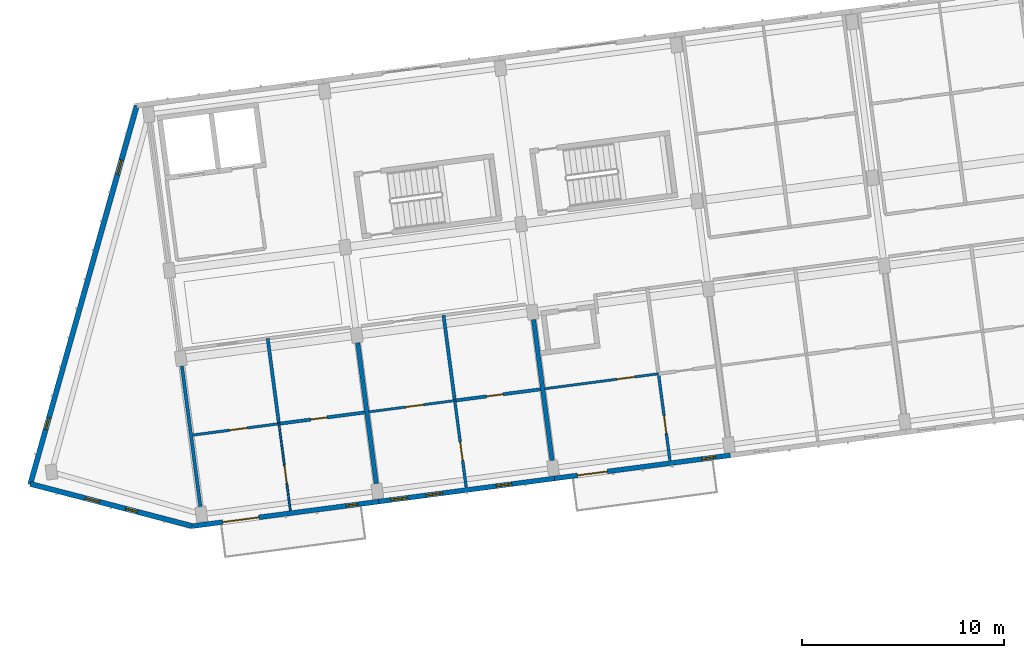
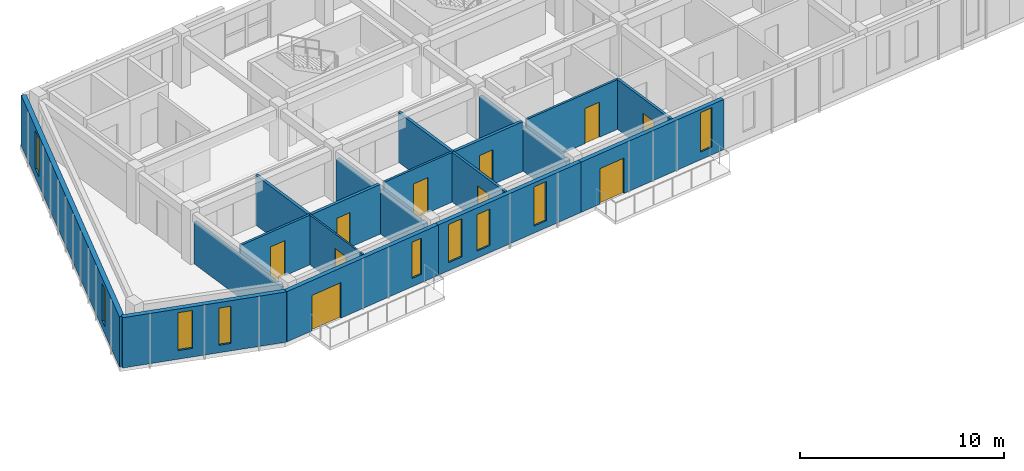
# One storey, part 79 of 127: 18 walls, 10 doors, 9 windows, 19 openings.
"""IFC4 building model written with IfcOpenShell, lengths in metres."""

from ifc_helpers import new_model, si_unit, direction, frame, frame_2d, origin, place, context, subcontext, project, spatial, rectangle, extrude, material, layer, layer_set, type_object, element, fill, save


model = new_model("IFC4")

# Units and contexts
model_context = context("Model", 3, precision=1e-05, world=origin(), true_north=direction((0.0, 1.0)))
body_context = subcontext(model_context, "Body", "Model", "MODEL_VIEW")
ifc_project = project(units=[si_unit("LENGTHUNIT", "METRE"), si_unit("AREAUNIT", "SQUARE_METRE"), si_unit("VOLUMEUNIT", "CUBIC_METRE"), si_unit("PLANEANGLEUNIT", "RADIAN"), si_unit("MASSUNIT", "GRAM", prefix="KILO")], contexts=[model_context])

# Site, building, storey
site_placement = place(None, origin())
site = spatial("IfcSite", under=ifc_project, at=site_placement, CompositionType="ELEMENT")
building_placement = place(site_placement, origin())
building = spatial("IfcBuilding", under=site, at=building_placement, Name="Kestramere Prow Commons", CompositionType="ELEMENT")
storey_placement = place(building_placement, frame((0.0, 0.0, 8.39990234375)))
storey = spatial("IfcBuildingStorey", under=building, at=storey_placement, Name="L02", CompositionType="ELEMENT", Elevation=8.39990234375)

# Wall, openings, windows
ifc_material_1 = material(Name="Weathered Zinc-Titanium Standing-Seam Cladding")
ifc_layer_1 = layer(ifc_material_1, 0.260009765625)
ifc_layer_set_1 = layer_set([ifc_layer_1], Name="Weathered Zinc-Titanium Standing-Seam Cladding")
wall_type_1 = type_object("IfcWallType", Name="EW-PROW-260", PredefinedType="SOLIDWALL", material=ifc_layer_set_1)
wall_1_placement = place(storey_placement, frame((10.748046875, 71.410888671875, 0.0), z_axis=(0.0, 0.0, 1.0), x_axis=(-0.967694955113, 0.252123925577, 0.0)))
wall_1 = element("IfcWall", 1, at=wall_1_placement, inside=storey, type_object=wall_type_1, Name="Block A L02 PRW-S Facet Wall", PredefinedType="SOLIDWALL", context=body_context, shape_type="SweptSolid", body=[
    extrude(rectangle(XDim=8.305419921875, YDim=0.260009765625, at=frame_2d((4.15283203125, 0.0))), origin(), (0.0, 0.0, 1.0), 3.0),
])
opening_1_placement = place(wall_1_placement, frame((2.81005859375, 0.0, 0.449951171875)))
opening_1 = element("IfcOpeningElement", 2, at=opening_1_placement, cuts=wall_1, Name="Opening WN-02", PredefinedType="OPENING", context=body_context, shape_type="SweptSolid", body=[
    extrude(rectangle(XDim=0.60009765625, YDim=2.219970703125, at=frame_2d((0.300048828125, 1.10986328125))), frame((0.0, 0.14501953125, 0.0), z_axis=(0.0, -1.0, 0.0), x_axis=(1.0, 0.0, 0.0)), (0.0, 0.0, 1.0), 0.2900390625),
])
opening_2_placement = place(wall_1_placement, frame((4.75537109375, 0.0, 0.52001953125)))
opening_2 = element("IfcOpeningElement", 3, at=opening_2_placement, cuts=wall_1, Name="Opening WN-09", PredefinedType="OPENING", context=body_context, shape_type="SweptSolid", body=[
    extrude(rectangle(XDim=0.739990234375, YDim=2.260009765625, at=frame_2d((0.3701171875, 1.1298828125))), frame((0.0, 0.14501953125, 0.0), z_axis=(0.0, -1.0, 0.0), x_axis=(1.0, 0.0, 0.0)), (0.0, 0.0, 1.0), 0.2900390625),
])
ifc_material_2 = material(Name="Low-E Laminated Double Glazing", Category="glass")
window_type_1 = type_object("IfcWindowType", Name="WN-NAR-600A", PartitioningType="SINGLE_PANEL", PredefinedType="WINDOW", material=ifc_material_2)
window_1_placement = place(opening_1_placement, origin())
window_1 = element("IfcWindow", 4, at=window_1_placement, inside=storey, type_object=window_type_1, Name="WN-A-L02-PRW-S-0", OverallHeight=2.219970703125, OverallWidth=0.60009765625, PartitioningType="SINGLE_PANEL", PredefinedType="WINDOW", context=body_context, shape_type="SweptSolid", body=[
    extrude(rectangle(XDim=0.60009765625, YDim=2.219970703125, at=frame_2d((0.300048828125, 1.10986328125))), frame((0.0, 0.030029296875, 0.0), z_axis=(0.0, -1.0, 0.0), x_axis=(1.0, 0.0, 0.0)), (0.0, 0.0, 1.0), 0.06005859375),
])
fill(opening_1, window_1)
window_type_2 = type_object("IfcWindowType", Name="WN-NAR-740A", PartitioningType="SINGLE_PANEL", PredefinedType="WINDOW", material=ifc_material_2)
window_2_placement = place(opening_2_placement, origin())
window_2 = element("IfcWindow", 5, at=window_2_placement, inside=storey, type_object=window_type_2, Name="WN-A-L02-PRW-S-1", OverallHeight=2.260009765625, OverallWidth=0.739990234375, PartitioningType="SINGLE_PANEL", PredefinedType="WINDOW", context=body_context, shape_type="SweptSolid", body=[
    extrude(rectangle(XDim=0.739990234375, YDim=2.260009765625, at=frame_2d((0.3701171875, 1.1298828125))), frame((0.0, 0.030029296875, 0.0), z_axis=(0.0, -1.0, 0.0), x_axis=(1.0, 0.0, 0.0)), (0.0, 0.0, 1.0), 0.06005859375),
])
fill(opening_2, window_2)

wall_2_placement = place(storey_placement, frame((2.7109375, 73.5048828125, 0.0), z_axis=(0.0, 0.0, 1.0), x_axis=(0.271165263368, 0.962532804606, 0.0)))
wall_2 = element("IfcWall", 6, at=wall_2_placement, inside=storey, type_object=wall_type_1, Name="Block A L02 PRW-N Facet Wall", PredefinedType="SOLIDWALL", context=body_context, shape_type="SweptSolid", body=[
    extrude(rectangle(XDim=19.5068359375, YDim=0.260009765625, at=frame_2d((9.75341796875, 0.0))), origin(), (0.0, 0.0, 1.0), 3.0),
])
opening_3_placement = place(wall_2_placement, frame((2.81005859375, 0.0, 0.449951171875)))
opening_3 = element("IfcOpeningElement", 7, at=opening_3_placement, cuts=wall_2, Name="Opening WN-02", PredefinedType="OPENING", context=body_context, shape_type="SweptSolid", body=[
    extrude(rectangle(XDim=0.60009765625, YDim=2.219970703125, at=frame_2d((0.300048828125, 1.10986328125))), frame((0.0, 0.14501953125, 0.0), z_axis=(0.0, -1.0, 0.0), x_axis=(1.0, 0.0, 0.0)), (0.0, 0.0, 1.0), 0.2900390625),
])
opening_4_placement = place(wall_2_placement, frame((15.956787109375, 0.0, 0.52001953125)))
opening_4 = element("IfcOpeningElement", 8, at=opening_4_placement, cuts=wall_2, Name="Opening WN-09", PredefinedType="OPENING", context=body_context, shape_type="SweptSolid", body=[
    extrude(rectangle(XDim=0.739990234375, YDim=2.260009765625, at=frame_2d((0.3701171875, 1.1298828125))), frame((0.0, 0.14501953125, 0.0), z_axis=(0.0, -1.0, 0.0), x_axis=(1.0, 0.0, 0.0)), (0.0, 0.0, 1.0), 0.2900390625),
])
window_3_placement = place(opening_3_placement, origin())
window_3 = element("IfcWindow", 9, at=window_3_placement, inside=storey, type_object=window_type_1, Name="WN-A-L02-PRW-N-0", OverallHeight=2.219970703125, OverallWidth=0.60009765625, PartitioningType="SINGLE_PANEL", PredefinedType="WINDOW", context=body_context, shape_type="SweptSolid", body=[
    extrude(rectangle(XDim=0.60009765625, YDim=2.219970703125, at=frame_2d((0.300048828125, 1.10986328125))), frame((0.0, 0.030029296875, 0.0), z_axis=(0.0, -1.0, 0.0), x_axis=(1.0, 0.0, 0.0)), (0.0, 0.0, 1.0), 0.06005859375),
])
fill(opening_3, window_3)
window_4_placement = place(opening_4_placement, origin())
window_4 = element("IfcWindow", 10, at=window_4_placement, inside=storey, type_object=window_type_2, Name="WN-A-L02-PRW-N-1", OverallHeight=2.260009765625, OverallWidth=0.739990234375, PartitioningType="SINGLE_PANEL", PredefinedType="WINDOW", context=body_context, shape_type="SweptSolid", body=[
    extrude(rectangle(XDim=0.739990234375, YDim=2.260009765625, at=frame_2d((0.3701171875, 1.1298828125))), frame((0.0, 0.030029296875, 0.0), z_axis=(0.0, -1.0, 0.0), x_axis=(1.0, 0.0, 0.0)), (0.0, 0.0, 1.0), 0.06005859375),
])
fill(opening_4, window_4)

# Wall, openings, door, window
ifc_material_3 = material(Name="Fluoropolymer Standing-Seam Zinc-Aluminium Cladding", Category="aluminium")
ifc_layer_2 = layer(ifc_material_3, 0.239990234375)
ifc_layer_set_2 = layer_set([ifc_layer_2], Name="Fluoropolymer Standing-Seam Zinc-Aluminium Cladding")
wall_type_2 = type_object("IfcWallType", Name="EW-SEAM-240", PredefinedType="SOLIDWALL", material=ifc_layer_set_2)
wall_3_placement = place(storey_placement, frame((19.9931640625, 72.628173828125, 0.0), z_axis=(0.0, 0.0, 1.0), x_axis=(-0.991442885224, -0.130541201693, 0.0)))
wall_3 = element("IfcWall", 11, at=wall_3_placement, inside=storey, type_object=wall_type_2, Name="Block A L02 South Standing-Seam Wall 1", PredefinedType="SOLIDWALL", context=body_context, shape_type="SweptSolid", body=[
    extrude(rectangle(XDim=9.324951171875, YDim=0.239990234375, at=frame_2d((4.66259765625, 0.0))), origin(), (0.0, 0.0, 1.0), 3.0),
])
opening_5_placement = place(wall_3_placement, frame((5.9970703125, 0.0, 0.0)))
opening_5 = element("IfcOpeningElement", 12, at=opening_5_placement, cuts=wall_3, Name="Opening GD-BAL-02", PredefinedType="OPENING", context=body_context, shape_type="SweptSolid", body=[
    extrude(rectangle(XDim=1.800048828125, YDim=2.1201171875, at=frame_2d((0.89990234375, 1.06005859375))), frame((0.0, 0.135009765625, 0.0), z_axis=(0.0, -1.0, 0.0), x_axis=(1.0, 0.0, 0.0)), (0.0, 0.0, 1.0), 0.27001953125),
])
opening_6_placement = place(wall_3_placement, frame((1.030029296875, 0.0, 0.5)))
opening_6 = element("IfcOpeningElement", 13, at=opening_6_placement, cuts=wall_3, Name="Opening WN-01", PredefinedType="OPENING", context=body_context, shape_type="SweptSolid", body=[
    extrude(rectangle(XDim=0.580078125, YDim=2.159912109375, at=frame_2d((0.2900390625, 1.080078125))), frame((0.0, 0.135009765625, 0.0), z_axis=(0.0, -1.0, 0.0), x_axis=(1.0, 0.0, 0.0)), (0.0, 0.0, 1.0), 0.27001953125),
])
ifc_material_4 = material(Name="Thermally-Broken Anodised Aluminium Glazed", Category="aluminium")
door_type_1 = type_object("IfcDoorType", Name="GD-BAL-1800", OperationType="SLIDING_TO_LEFT", PredefinedType="DOOR", material=ifc_material_4)
door_1_placement = place(opening_5_placement, origin())
door_1 = element("IfcDoor", 14, at=door_1_placement, inside=storey, type_object=door_type_1, Name="Block A L02 Balcony Door 1", OperationType="SLIDING_TO_LEFT", OverallHeight=2.1201171875, OverallWidth=1.800048828125, PredefinedType="DOOR", context=body_context, shape_type="SweptSolid", body=[
    extrude(rectangle(XDim=1.800048828125, YDim=2.1201171875, at=frame_2d((0.89990234375, 1.06005859375))), frame((0.0, 0.02490234375, 0.0), z_axis=(0.0, -1.0, 0.0), x_axis=(1.0, 0.0, 0.0)), (0.0, 0.0, 1.0), 0.050048828125),
])
fill(opening_5, door_1)
window_type_3 = type_object("IfcWindowType", Name="WN-NAR-580A", PartitioningType="SINGLE_PANEL", PredefinedType="WINDOW", material=ifc_material_2)
window_5_placement = place(opening_6_placement, origin())
window_5 = element("IfcWindow", 15, at=window_5_placement, inside=storey, type_object=window_type_3, Name="WN-A-L02-SR-0", OverallHeight=2.159912109375, OverallWidth=0.580078125, PartitioningType="SINGLE_PANEL", PredefinedType="WINDOW", context=body_context, shape_type="SweptSolid", body=[
    extrude(rectangle(XDim=0.580078125, YDim=2.159912109375, at=frame_2d((0.2900390625, 1.080078125))), frame((0.0, 0.030029296875, 0.0), z_axis=(0.0, -1.0, 0.0), x_axis=(1.0, 0.0, 0.0)), (0.0, 0.0, 1.0), 0.06005859375),
])
fill(opening_6, window_5)

# Wall, openings, windows
wall_4_placement = place(storey_placement, frame((28.718017578125, 73.77685546875, 0.0), z_axis=(0.0, 0.0, 1.0), x_axis=(-0.991444377792, -0.130529865336, 0.0)))
wall_4 = element("IfcWall", 16, at=wall_4_placement, inside=storey, type_object=wall_type_2, Name="Block A L02 South Standing-Seam Wall 2", PredefinedType="SOLIDWALL", context=body_context, shape_type="SweptSolid", body=[
    extrude(rectangle(XDim=8.800048828125, YDim=0.239990234375, at=frame_2d((4.39990234375, 0.0))), origin(), (0.0, 0.0, 1.0), 3.0),
])
opening_7_placement = place(wall_4_placement, frame((2.145751953125, 0.0, 0.419921875)))
opening_7 = element("IfcOpeningElement", 17, at=opening_7_placement, cuts=wall_4, Name="Opening WN-10", PredefinedType="OPENING", context=body_context, shape_type="SweptSolid", body=[
    extrude(rectangle(XDim=0.760009765625, YDim=2.340087890625, at=frame_2d((0.3798828125, 1.169921875))), frame((0.0, 0.135009765625, 0.0), z_axis=(0.0, -1.0, 0.0), x_axis=(1.0, 0.0, 0.0)), (0.0, 0.0, 1.0), 0.27001953125),
])
opening_8_placement = place(wall_4_placement, frame((5.60400390625, 0.0, 0.419921875)))
opening_8 = element("IfcOpeningElement", 18, at=opening_8_placement, cuts=wall_4, Name="Opening WN-13", PredefinedType="OPENING", context=body_context, shape_type="SweptSolid", body=[
    extrude(rectangle(XDim=0.820068359375, YDim=2.179931640625, at=frame_2d((0.41015625, 1.08984375))), frame((0.0, 0.135009765625, 0.0), z_axis=(0.0, -1.0, 0.0), x_axis=(1.0, 0.0, 0.0)), (0.0, 0.0, 1.0), 0.27001953125),
])
opening_9_placement = place(wall_4_placement, frame((7.35009765625, 0.0, 0.47998046875)))
opening_9 = element("IfcOpeningElement", 19, at=opening_9_placement, cuts=wall_4, Name="Opening WN-14", PredefinedType="OPENING", context=body_context, shape_type="SweptSolid", body=[
    extrude(rectangle(XDim=0.840087890625, YDim=2.280029296875, at=frame_2d((0.419921875, 1.14013671875))), frame((0.0, 0.135009765625, 0.0), z_axis=(0.0, -1.0, 0.0), x_axis=(1.0, 0.0, 0.0)), (0.0, 0.0, 1.0), 0.27001953125),
])
window_type_4 = type_object("IfcWindowType", Name="WN-NAR-760A", PartitioningType="SINGLE_PANEL", PredefinedType="WINDOW", material=ifc_material_2)
window_6_placement = place(opening_7_placement, origin())
window_6 = element("IfcWindow", 20, at=window_6_placement, inside=storey, type_object=window_type_4, Name="WN-A-L02-S-1-00", OverallHeight=2.340087890625, OverallWidth=0.760009765625, PartitioningType="SINGLE_PANEL", PredefinedType="WINDOW", context=body_context, shape_type="SweptSolid", body=[
    extrude(rectangle(XDim=0.760009765625, YDim=2.340087890625, at=frame_2d((0.3798828125, 1.169921875))), frame((0.0, 0.030029296875, 0.0), z_axis=(0.0, -1.0, 0.0), x_axis=(1.0, 0.0, 0.0)), (0.0, 0.0, 1.0), 0.06005859375),
])
fill(opening_7, window_6)
window_type_5 = type_object("IfcWindowType", Name="WN-NAR-820A", PartitioningType="DOUBLE_PANEL_VERTICAL", PredefinedType="WINDOW", material=ifc_material_2)
window_7_placement = place(opening_8_placement, origin())
window_7 = element("IfcWindow", 21, at=window_7_placement, inside=storey, type_object=window_type_5, Name="WN-A-L02-S-1-10", OverallHeight=2.179931640625, OverallWidth=0.820068359375, PartitioningType="SINGLE_PANEL", PredefinedType="WINDOW", context=body_context, shape_type="SweptSolid", body=[
    extrude(rectangle(XDim=0.820068359375, YDim=2.179931640625, at=frame_2d((0.41015625, 1.08984375))), frame((0.0, 0.030029296875, 0.0), z_axis=(0.0, -1.0, 0.0), x_axis=(1.0, 0.0, 0.0)), (0.0, 0.0, 1.0), 0.06005859375),
])
fill(opening_8, window_7)
window_type_6 = type_object("IfcWindowType", Name="WN-NAR-840A", PartitioningType="DOUBLE_PANEL_VERTICAL", PredefinedType="WINDOW", material=ifc_material_2)
window_8_placement = place(opening_9_placement, origin())
window_8 = element("IfcWindow", 22, at=window_8_placement, inside=storey, type_object=window_type_6, Name="WN-A-L02-S-1-11", OverallHeight=2.280029296875, OverallWidth=0.840087890625, PartitioningType="SINGLE_PANEL", PredefinedType="WINDOW", context=body_context, shape_type="SweptSolid", body=[
    extrude(rectangle(XDim=0.840087890625, YDim=2.280029296875, at=frame_2d((0.419921875, 1.14013671875))), frame((0.0, 0.030029296875, 0.0), z_axis=(0.0, -1.0, 0.0), x_axis=(1.0, 0.0, 0.0)), (0.0, 0.0, 1.0), 0.06005859375),
])
fill(opening_9, window_8)

# Wall, openings, door, window
wall_5_placement = place(storey_placement, frame((37.442626953125, 74.92529296875, 0.0), z_axis=(0.0, 0.0, 1.0), x_axis=(-0.991447495205, -0.130506184728, 0.0)))
wall_5 = element("IfcWall", 23, at=wall_5_placement, inside=storey, type_object=wall_type_2, Name="Block A L02 South Standing-Seam Wall 3", PredefinedType="SOLIDWALL", context=body_context, shape_type="SweptSolid", body=[
    extrude(rectangle(XDim=8.7998046875, YDim=0.239990234375, at=frame_2d((4.39990234375, 0.0))), origin(), (0.0, 0.0, 1.0), 3.0),
])
opening_10_placement = place(wall_5_placement, frame((6.14697265625, 0.0, 0.0)))
opening_10 = element("IfcOpeningElement", 24, at=opening_10_placement, cuts=wall_5, Name="Opening GD-BAL-01", PredefinedType="OPENING", context=body_context, shape_type="SweptSolid", body=[
    extrude(rectangle(XDim=1.5, YDim=2.1201171875, at=frame_2d((0.75, 1.06005859375))), frame((0.0, 0.135009765625, 0.0), z_axis=(0.0, -1.0, 0.0), x_axis=(1.0, 0.0, 0.0)), (0.0, 0.0, 1.0), 0.27001953125),
])
opening_11_placement = place(wall_5_placement, frame((0.72998046875, 0.0, 0.4599609375)))
opening_11 = element("IfcOpeningElement", 25, at=opening_11_placement, cuts=wall_5, Name="Opening WN-07", PredefinedType="OPENING", context=body_context, shape_type="SweptSolid", body=[
    extrude(rectangle(XDim=0.699951171875, YDim=2.360107421875, at=frame_2d((0.35009765625, 1.18017578125))), frame((0.0, 0.135009765625, 0.0), z_axis=(0.0, -1.0, 0.0), x_axis=(1.0, 0.0, 0.0)), (0.0, 0.0, 1.0), 0.27001953125),
])
door_type_2 = type_object("IfcDoorType", Name="GD-BAL-1500", OperationType="SLIDING_TO_RIGHT", PredefinedType="DOOR", material=ifc_material_4)
door_2_placement = place(opening_10_placement, origin())
door_2 = element("IfcDoor", 26, at=door_2_placement, inside=storey, type_object=door_type_2, Name="Block A L02 Balcony Door 3", OperationType="SLIDING_TO_RIGHT", OverallHeight=2.1201171875, OverallWidth=1.5, PredefinedType="DOOR", context=body_context, shape_type="SweptSolid", body=[
    extrude(rectangle(XDim=1.5, YDim=2.1201171875, at=frame_2d((0.75, 1.06005859375))), frame((0.0, 0.02490234375, 0.0), z_axis=(0.0, -1.0, 0.0), x_axis=(1.0, 0.0, 0.0)), (0.0, 0.0, 1.0), 0.050048828125),
])
fill(opening_10, door_2)
window_type_7 = type_object("IfcWindowType", Name="WN-NAR-700A", PartitioningType="SINGLE_PANEL", PredefinedType="WINDOW", material=ifc_material_2)
window_9_placement = place(opening_11_placement, origin())
window_9 = element("IfcWindow", 27, at=window_9_placement, inside=storey, type_object=window_type_7, Name="WN-A-L02-SR-2", OverallHeight=2.360107421875, OverallWidth=0.699951171875, PartitioningType="SINGLE_PANEL", PredefinedType="WINDOW", context=body_context, shape_type="SweptSolid", body=[
    extrude(rectangle(XDim=0.699951171875, YDim=2.360107421875, at=frame_2d((0.35009765625, 1.18017578125))), frame((0.0, 0.030029296875, 0.0), z_axis=(0.0, -1.0, 0.0), x_axis=(1.0, 0.0, 0.0)), (0.0, 0.0, 1.0), 0.06005859375),
])
fill(opening_11, window_9)

# Wall, opening, door
ifc_material_5 = material(Name="Lightweight Blockwork and Plaster", Category="masonry")
ifc_layer_3 = layer(ifc_material_5, 0.1201171875)
ifc_layer_set_3 = layer_set([ifc_layer_3], Name="Lightweight Blockwork and Plaster")
wall_type_3 = type_object("IfcWallType", Name="W-PART-120", PredefinedType="PARTITIONING", material=ifc_layer_set_3)
wall_6_placement = place(storey_placement, frame((19.523193359375, 77.079833984375, 0.0), z_axis=(0.0, 0.0, 1.0), x_axis=(0.991444014242, 0.130532626667, 0.0)))
wall_6 = element("IfcWall", 28, at=wall_6_placement, inside=storey, type_object=wall_type_3, Name="Interior Partition PW-A-L02-MIDS1-1", PredefinedType="PARTITIONING", context=body_context, shape_type="SweptSolid", body=[
    extrude(rectangle(XDim=4.284912109375, YDim=0.1201171875, at=frame_2d((2.142578125, 0.0))), origin(), (0.0, 0.0, 1.0), 2.97021484375),
])
opening_12_placement = place(wall_6_placement, frame((1.824951171875, 0.0, 0.0)))
opening_12 = element("IfcOpeningElement", 29, at=opening_12_placement, cuts=wall_6, Name="Opening ID-08", PredefinedType="OPENING", context=body_context, shape_type="SweptSolid", body=[
    extrude(rectangle(XDim=0.89990234375, YDim=2.10009765625, at=frame_2d((0.449951171875, 1.050048828125))), frame((0.0, 0.074951171875, 0.0), z_axis=(0.0, -1.0, 0.0), x_axis=(1.0, 0.0, 0.0)), (0.0, 0.0, 1.0), 0.150146484375),
])
ifc_material_6 = material(Name="Engineered Timber Flush Door", Category="wood")
door_type_3 = type_object("IfcDoorType", Name="D-RM-01", OperationType="NOTDEFINED", PredefinedType="DOOR", material=ifc_material_6)
door_3_placement = place(opening_12_placement, origin())
door_3 = element("IfcDoor", 30, at=door_3_placement, inside=storey, type_object=door_type_3, Name="Interior Door DR-A-L02-KL-S1", OperationType="SINGLE_SWING_RIGHT", OverallHeight=2.10009765625, OverallWidth=0.89990234375, PredefinedType="DOOR", context=body_context, shape_type="SweptSolid", body=[
    extrude(rectangle(XDim=0.89990234375, YDim=2.10009765625, at=frame_2d((0.449951171875, 1.050048828125))), frame((0.0, 0.02490234375, 0.0), z_axis=(0.0, -1.0, 0.0), x_axis=(1.0, 0.0, 0.0)), (0.0, 0.0, 1.0), 0.050048828125),
])
fill(opening_12, door_3)

wall_7_placement = place(storey_placement, frame((28.247802734375, 78.228515625, 0.0), z_axis=(0.0, 0.0, 1.0), x_axis=(0.991443905556, 0.130533452169, 0.0)))
wall_7 = element("IfcWall", 31, at=wall_7_placement, inside=storey, type_object=wall_type_3, Name="Interior Partition PW-A-L02-MIDS1-2", PredefinedType="PARTITIONING", context=body_context, shape_type="SweptSolid", body=[
    extrude(rectangle(XDim=5.68017578125, YDim=0.1201171875, at=frame_2d((2.840087890625, 0.0))), origin(), (0.0, 0.0, 1.0), 2.97021484375),
])
opening_13_placement = place(wall_7_placement, frame((3.594970703125, 0.0, 0.0)))
opening_13 = element("IfcOpeningElement", 32, at=opening_13_placement, cuts=wall_7, Name="Opening ID-08", PredefinedType="OPENING", context=body_context, shape_type="SweptSolid", body=[
    extrude(rectangle(XDim=0.89990234375, YDim=2.10009765625, at=frame_2d((0.449951171875, 1.050048828125))), frame((0.0, 0.074951171875, 0.0), z_axis=(0.0, -1.0, 0.0), x_axis=(1.0, 0.0, 0.0)), (0.0, 0.0, 1.0), 0.150146484375),
])
door_4_placement = place(opening_13_placement, origin())
door_4 = element("IfcDoor", 33, at=door_4_placement, inside=storey, type_object=door_type_3, Name="Interior Door DR-A-L02-KL-S2", OperationType="SINGLE_SWING_RIGHT", OverallHeight=2.10009765625, OverallWidth=0.89990234375, PredefinedType="DOOR", context=body_context, shape_type="SweptSolid", body=[
    extrude(rectangle(XDim=0.89990234375, YDim=2.10009765625, at=frame_2d((0.449951171875, 1.050048828125))), frame((0.0, 0.02490234375, 0.0), z_axis=(0.0, -1.0, 0.0), x_axis=(1.0, 0.0, 0.0)), (0.0, 0.0, 1.0), 0.050048828125),
])
fill(opening_13, door_4)

ifc_layer_4 = layer(ifc_material_5, 0.1298828125)
ifc_layer_set_4 = layer_set([ifc_layer_4], Name="Lightweight Blockwork and Plaster")
wall_type_4 = type_object("IfcWallType", Name="W-PART-130", PredefinedType="PARTITIONING", material=ifc_layer_set_4)
wall_8_placement = place(storey_placement, frame((10.773681640625, 75.927978515625, 0.0), z_axis=(0.0, 0.0, 1.0), x_axis=(0.991447160489, 0.130508727519, 0.0)))
wall_8 = element("IfcWall", 34, at=wall_8_placement, inside=storey, type_object=wall_type_4, Name="Interior Partition PW-A-L02-MIDS1-0", PredefinedType="PARTITIONING", context=body_context, shape_type="SweptSolid", body=[
    extrude(rectangle(XDim=4.31005859375, YDim=0.1298828125, at=frame_2d((2.155029296875, 0.0))), origin(), (0.0, 0.0, 1.0), 2.97021484375),
])
opening_14_placement = place(wall_8_placement, frame((1.85009765625, 0.0, 0.0)))
opening_14 = element("IfcOpeningElement", 35, at=opening_14_placement, cuts=wall_8, Name="Opening ID-10", PredefinedType="OPENING", context=body_context, shape_type="SweptSolid", body=[
    extrude(rectangle(XDim=0.8798828125, YDim=2.10009765625, at=frame_2d((0.43994140625, 1.050048828125))), frame((0.0, 0.079833984375, 0.0), z_axis=(0.0, -1.0, 0.0), x_axis=(1.0, 0.0, 0.0)), (0.0, 0.0, 1.0), 0.159912109375),
])
ifc_material_7 = material(Name="Engineered Timber Bedroom Door", Category="wood")
door_type_4 = type_object("IfcDoorType", Name="D-RM-03", OperationType="NOTDEFINED", PredefinedType="DOOR", material=ifc_material_7)
door_5_placement = place(opening_14_placement, origin())
door_5 = element("IfcDoor", 36, at=door_5_placement, inside=storey, type_object=door_type_4, Name="Interior Door DR-A-L02-KL-S0", OperationType="SINGLE_SWING_RIGHT", OverallHeight=2.10009765625, OverallWidth=0.8798828125, PredefinedType="DOOR", context=body_context, shape_type="SweptSolid", body=[
    extrude(rectangle(XDim=0.8798828125, YDim=2.10009765625, at=frame_2d((0.43994140625, 1.050048828125))), frame((0.0, 0.02490234375, 0.0), z_axis=(0.0, -1.0, 0.0), x_axis=(1.0, 0.0, 0.0)), (0.0, 0.0, 1.0), 0.050048828125),
])
fill(opening_14, door_5)

ifc_material_8 = material(Name="Masonry Compartment Wall", Category="masonry")
ifc_layer_5 = layer(ifc_material_8, 0.139892578125)
ifc_layer_set_5 = layer_set([ifc_layer_5], Name="Masonry Compartment Wall")
wall_type_5 = type_object("IfcWallType", Name="W-PART-140", PredefinedType="PARTITIONING", material=ifc_layer_set_5)
wall_9_placement = place(storey_placement, frame((24.337890625, 73.336181640625, 0.0), z_axis=(0.0, 0.0, 1.0), x_axis=(-0.130505442025, 0.991447592968, 0.0)))
wall_9 = element("IfcWall", 37, at=wall_9_placement, inside=storey, type_object=wall_type_5, Name="Interior Partition PW-A-L02-LB-S1", PredefinedType="PARTITIONING", context=body_context, shape_type="SweptSolid", body=[
    extrude(rectangle(XDim=4.340087890625, YDim=0.139892578125, at=frame_2d((2.169921875, 0.0))), origin(), (0.0, 0.0, 1.0), 2.97021484375),
])
opening_15_placement = place(wall_9_placement, frame((1.35009765625, 0.0, 0.0)))
opening_15 = element("IfcOpeningElement", 38, at=opening_15_placement, cuts=wall_9, Name="Opening ID-08", PredefinedType="OPENING", context=body_context, shape_type="SweptSolid", body=[
    extrude(rectangle(XDim=0.89990234375, YDim=2.10009765625, at=frame_2d((0.449951171875, 1.050048828125))), frame((0.0, 0.0849609375, 0.0), z_axis=(0.0, -1.0, 0.0), x_axis=(1.0, 0.0, 0.0)), (0.0, 0.0, 1.0), 0.169921875),
])
door_6_placement = place(opening_15_placement, origin())
door_6 = element("IfcDoor", 39, at=door_6_placement, inside=storey, type_object=door_type_3, Name="Interior Door DR-A-L02-BED-S1", OperationType="SINGLE_SWING_RIGHT", OverallHeight=2.10009765625, OverallWidth=0.89990234375, PredefinedType="DOOR", context=body_context, shape_type="SweptSolid", body=[
    extrude(rectangle(XDim=0.89990234375, YDim=2.10009765625, at=frame_2d((0.449951171875, 1.050048828125))), frame((0.0, 0.02490234375, 0.0), z_axis=(0.0, -1.0, 0.0), x_axis=(1.0, 0.0, 0.0)), (0.0, 0.0, 1.0), 0.050048828125),
])
fill(opening_15, door_6)

wall_10_placement = place(storey_placement, frame((34.44580078125, 74.6669921875, 0.0), z_axis=(0.0, 0.0, 1.0), x_axis=(-0.130505442025, 0.991447592968, 0.0)))
wall_10 = element("IfcWall", 40, at=wall_10_placement, inside=storey, type_object=wall_type_5, Name="Interior Partition PW-A-L02-LB-S2", PredefinedType="PARTITIONING", context=body_context, shape_type="SweptSolid", body=[
    extrude(rectangle(XDim=4.340087890625, YDim=0.139892578125, at=frame_2d((2.169921875, 0.0))), origin(), (0.0, 0.0, 1.0), 2.97021484375),
])
opening_16_placement = place(wall_10_placement, frame((1.35009765625, 0.0, 0.0)))
opening_16 = element("IfcOpeningElement", 41, at=opening_16_placement, cuts=wall_10, Name="Opening ID-08", PredefinedType="OPENING", context=body_context, shape_type="SweptSolid", body=[
    extrude(rectangle(XDim=0.89990234375, YDim=2.10009765625, at=frame_2d((0.449951171875, 1.050048828125))), frame((0.0, 0.0849609375, 0.0), z_axis=(0.0, -1.0, 0.0), x_axis=(1.0, 0.0, 0.0)), (0.0, 0.0, 1.0), 0.169921875),
])
door_7_placement = place(opening_16_placement, origin())
door_7 = element("IfcDoor", 42, at=door_7_placement, inside=storey, type_object=door_type_3, Name="Interior Door DR-A-L02-BED-S2", OperationType="SINGLE_SWING_LEFT", OverallHeight=2.10009765625, OverallWidth=0.89990234375, PredefinedType="DOOR", context=body_context, shape_type="SweptSolid", body=[
    extrude(rectangle(XDim=0.89990234375, YDim=2.10009765625, at=frame_2d((0.449951171875, 1.050048828125))), frame((0.0, 0.02490234375, 0.0), z_axis=(0.0, -1.0, 0.0), x_axis=(1.0, 0.0, 0.0)), (0.0, 0.0, 1.0), 0.050048828125),
])
fill(opening_16, door_7)

ifc_material_9 = material(Name="Gypsum Acoustic Drywall")
ifc_layer_6 = layer(ifc_material_9, 0.094970703125)
ifc_layer_set_6 = layer_set([ifc_layer_6], Name="Gypsum Acoustic Drywall")
wall_type_6 = type_object("IfcWallType", Name="W-PART-95", PredefinedType="PARTITIONING", material=ifc_layer_set_6)
wall_11_placement = place(storey_placement, frame((15.61328125, 72.187744140625, 0.0), z_axis=(0.0, 0.0, 1.0), x_axis=(-0.130512720879, 0.991446634816, 0.0)))
wall_11 = element("IfcWall", 43, at=wall_11_placement, inside=storey, type_object=wall_type_6, Name="Interior Partition PW-A-L02-LB-S0", PredefinedType="PARTITIONING", context=body_context, shape_type="SweptSolid", body=[
    extrude(rectangle(XDim=4.33984375, YDim=0.094970703125, at=frame_2d((2.169921875, 0.0))), origin(), (0.0, 0.0, 1.0), 2.97021484375),
])
opening_17_placement = place(wall_11_placement, frame((1.35009765625, 0.0, 0.0)))
opening_17 = element("IfcOpeningElement", 44, at=opening_17_placement, cuts=wall_11, Name="Opening ID-08", PredefinedType="OPENING", context=body_context, shape_type="SweptSolid", body=[
    extrude(rectangle(XDim=0.89990234375, YDim=2.10009765625, at=frame_2d((0.449951171875, 1.050048828125))), frame((0.0, 0.0625, 0.0), z_axis=(0.0, -1.0, 0.0), x_axis=(1.0, 0.0, 0.0)), (0.0, 0.0, 1.0), 0.125),
])
door_8_placement = place(opening_17_placement, origin())
door_8 = element("IfcDoor", 45, at=door_8_placement, inside=storey, type_object=door_type_3, Name="Interior Door DR-A-L02-BED-S0", OperationType="SINGLE_SWING_LEFT", OverallHeight=2.10009765625, OverallWidth=0.89990234375, PredefinedType="DOOR", context=body_context, shape_type="SweptSolid", body=[
    extrude(rectangle(XDim=0.89990234375, YDim=2.10009765625, at=frame_2d((0.449951171875, 1.050048828125))), frame((0.0, 0.02490234375, 0.0), z_axis=(0.0, -1.0, 0.0), x_axis=(1.0, 0.0, 0.0)), (0.0, 0.0, 1.0), 0.050048828125),
])
fill(opening_17, door_8)

# Wall
ifc_material_10 = material(Name="Waterproof Sanitary Masonry Wall", Category="masonry")
ifc_layer_7 = layer(ifc_material_10, 0.1650390625)
ifc_layer_set_7 = layer_set([ifc_layer_7], Name="Waterproof Sanitary Masonry Wall")
wall_type_7 = type_object("IfcWallType", Name="W-PLUMB-150", PredefinedType="PLUMBINGWALL", material=ifc_layer_set_7)
wall_12_placement = place(storey_placement, frame((11.149658203125, 72.381591796875, 0.0), z_axis=(0.0, 0.0, 1.0), x_axis=(-0.130507514421, 0.991447320174, 0.0)))
element("IfcWall", 46, at=wall_12_placement, inside=storey, type_object=wall_type_7, Name="Interior Partition PW-A-L02-PRWW-S", PredefinedType="PLUMBINGWALL", context=body_context, shape_type="SweptSolid", body=[
    extrude(rectangle(XDim=7.030029296875, YDim=0.1650390625, at=frame_2d((3.51513671875, 0.0))), origin(), (0.0, 0.0, 1.0), 2.5),
])

# Wall, opening, door
wall_13_placement = place(storey_placement, frame((15.046875, 76.490478515625, 0.0), z_axis=(0.0, 0.0, 1.0), x_axis=(0.991444014242, 0.130532626667, 0.0)))
wall_13 = element("IfcWall", 47, at=wall_13_placement, inside=storey, type_object=wall_type_7, Name="Interior Partition PW-A-L02-MIDS2-0", PredefinedType="PLUMBINGWALL", context=body_context, shape_type="SweptSolid", body=[
    extrude(rectangle(XDim=4.284912109375, YDim=0.1650390625, at=frame_2d((2.142578125, 0.0))), origin(), (0.0, 0.0, 1.0), 2.97021484375),
])
opening_18_placement = place(wall_13_placement, frame((1.60009765625, 0.0, 0.0)))
opening_18 = element("IfcOpeningElement", 48, at=opening_18_placement, cuts=wall_13, Name="Opening ID-11", PredefinedType="OPENING", context=body_context, shape_type="SweptSolid", body=[
    extrude(rectangle(XDim=0.820068359375, YDim=2.080078125, at=frame_2d((0.41015625, 1.0400390625))), frame((0.0, 0.097412109375, 0.0), z_axis=(0.0, -1.0, 0.0), x_axis=(1.0, 0.0, 0.0)), (0.0, 0.0, 1.0), 0.195068359375),
])
ifc_material_11 = material(Name="Moisture-Resistant Timber Bathroom Door", Category="wood")
door_type_5 = type_object("IfcDoorType", Name="D-BT-01", OperationType="NOTDEFINED", PredefinedType="DOOR", material=ifc_material_11)
door_9_placement = place(opening_18_placement, origin())
door_9 = element("IfcDoor", 49, at=door_9_placement, inside=storey, type_object=door_type_5, Name="Interior Door DR-A-L02-BTH-S0", OperationType="SINGLE_SWING_LEFT", OverallHeight=2.080078125, OverallWidth=0.820068359375, PredefinedType="DOOR", context=body_context, shape_type="SweptSolid", body=[
    extrude(rectangle(XDim=0.820068359375, YDim=2.080078125, at=frame_2d((0.41015625, 1.0400390625))), frame((0.0, 0.02490234375, 0.0), z_axis=(0.0, -1.0, 0.0), x_axis=(1.0, 0.0, 0.0)), (0.0, 0.0, 1.0), 0.050048828125),
])
fill(opening_18, door_9)

# Wall
wall_14_placement = place(storey_placement, frame((15.046875, 76.490478515625, 0.0), z_axis=(0.0, 0.0, 1.0), x_axis=(-0.13053438047, 0.991443783336, 0.0)))
element("IfcWall", 50, at=wall_14_placement, inside=storey, type_object=wall_type_7, Name="Interior Partition PW-A-L02-KB-S0", PredefinedType="PLUMBINGWALL", context=body_context, shape_type="SweptSolid", body=[
    extrude(rectangle(XDim=4.27001953125, YDim=0.1650390625, at=frame_2d((2.135009765625, 0.0))), origin(), (0.0, 0.0, 1.0), 2.97021484375),
])

# Wall, opening, door
wall_15_placement = place(storey_placement, frame((23.771484375, 77.63916015625, 0.0), z_axis=(0.0, 0.0, 1.0), x_axis=(0.991444014242, 0.130532626667, 0.0)))
wall_15 = element("IfcWall", 51, at=wall_15_placement, inside=storey, type_object=wall_type_7, Name="Interior Partition PW-A-L02-MIDS2-1", PredefinedType="PLUMBINGWALL", context=body_context, shape_type="SweptSolid", body=[
    extrude(rectangle(XDim=4.284912109375, YDim=0.1650390625, at=frame_2d((2.142578125, 0.0))), origin(), (0.0, 0.0, 1.0), 2.97021484375),
])
opening_19_placement = place(wall_15_placement, frame((1.60009765625, 0.0, 0.0)))
opening_19 = element("IfcOpeningElement", 52, at=opening_19_placement, cuts=wall_15, Name="Opening ID-11", PredefinedType="OPENING", context=body_context, shape_type="SweptSolid", body=[
    extrude(rectangle(XDim=0.820068359375, YDim=2.080078125, at=frame_2d((0.41015625, 1.0400390625))), frame((0.0, 0.097412109375, 0.0), z_axis=(0.0, -1.0, 0.0), x_axis=(1.0, 0.0, 0.0)), (0.0, 0.0, 1.0), 0.195068359375),
])
door_10_placement = place(opening_19_placement, origin())
door_10 = element("IfcDoor", 53, at=door_10_placement, inside=storey, type_object=door_type_5, Name="Interior Door DR-A-L02-BTH-S1", OperationType="SINGLE_SWING_LEFT", OverallHeight=2.080078125, OverallWidth=0.820068359375, PredefinedType="DOOR", context=body_context, shape_type="SweptSolid", body=[
    extrude(rectangle(XDim=0.820068359375, YDim=2.080078125, at=frame_2d((0.41015625, 1.0400390625))), frame((0.0, 0.02490234375, 0.0), z_axis=(0.0, -1.0, 0.0), x_axis=(1.0, 0.0, 0.0)), (0.0, 0.0, 1.0), 0.050048828125),
])
fill(opening_19, door_10)

# Walls
wall_16_placement = place(storey_placement, frame((23.771484375, 77.63916015625, 0.0), z_axis=(0.0, 0.0, 1.0), x_axis=(-0.13053438047, 0.991443783336, 0.0)))
element("IfcWall", 54, at=wall_16_placement, inside=storey, type_object=wall_type_7, Name="Interior Partition PW-A-L02-KB-S1", PredefinedType="PLUMBINGWALL", context=body_context, shape_type="SweptSolid", body=[
    extrude(rectangle(XDim=4.27001953125, YDim=0.1650390625, at=frame_2d((2.135009765625, 0.0))), origin(), (0.0, 0.0, 1.0), 2.97021484375),
])
ifc_material_12 = material(Name="Precast concrete C40/50", Category="concrete")
ifc_layer_8 = layer(ifc_material_12, 0.219970703125)
ifc_layer_set_8 = layer_set([ifc_layer_8], Name="Precast concrete C40/50")
wall_type_8 = type_object("IfcWallType", Name="W-XWALL-220", PredefinedType="SHEAR", material=ifc_layer_set_8)
wall_17_placement = place(storey_placement, frame((19.875732421875, 73.5205078125, 0.0), z_axis=(0.0, 0.0, 1.0), x_axis=(-0.130523490966, 0.991445216997, 0.0)))
element("IfcWall", 55, at=wall_17_placement, inside=storey, type_object=wall_type_8, Name="Block A L02 Precast Cross-Wall 1", PredefinedType="SHEAR", context=body_context, shape_type="SweptSolid", body=[
    extrude(rectangle(XDim=7.0498046875, YDim=0.219970703125, at=frame_2d((3.52490234375, 0.0))), origin(), (0.0, 0.0, 1.0), 2.5),
])
wall_18_placement = place(storey_placement, frame((28.6005859375, 74.6689453125, 0.0), z_axis=(0.0, 0.0, 1.0), x_axis=(-0.130553049113, 0.991441325227, 0.0)))
element("IfcWall", 56, at=wall_18_placement, inside=storey, type_object=wall_type_8, Name="Block A L02 Precast Cross-Wall 2", PredefinedType="SHEAR", context=body_context, shape_type="SweptSolid", body=[
    extrude(rectangle(XDim=7.050048828125, YDim=0.219970703125, at=frame_2d((3.52490234375, 0.0))), origin(), (0.0, 0.0, 1.0), 2.5),
])

save(model, "model.ifc")
